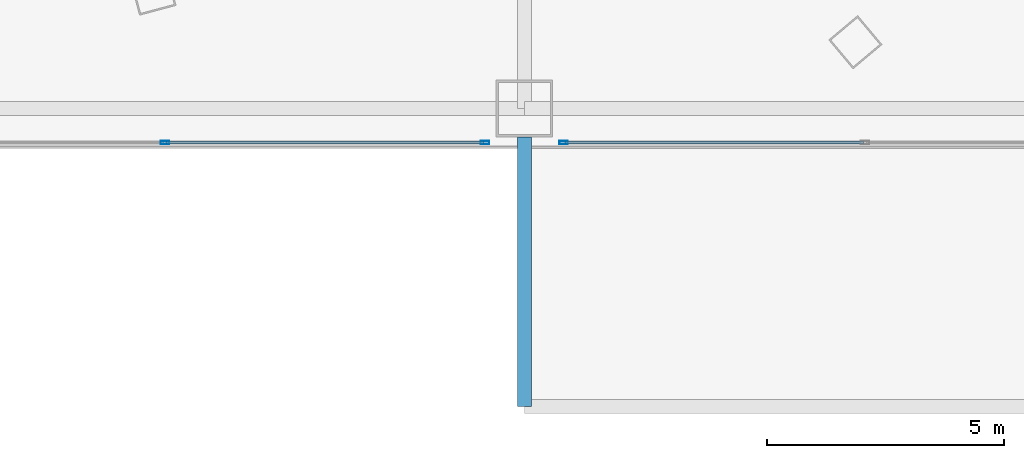
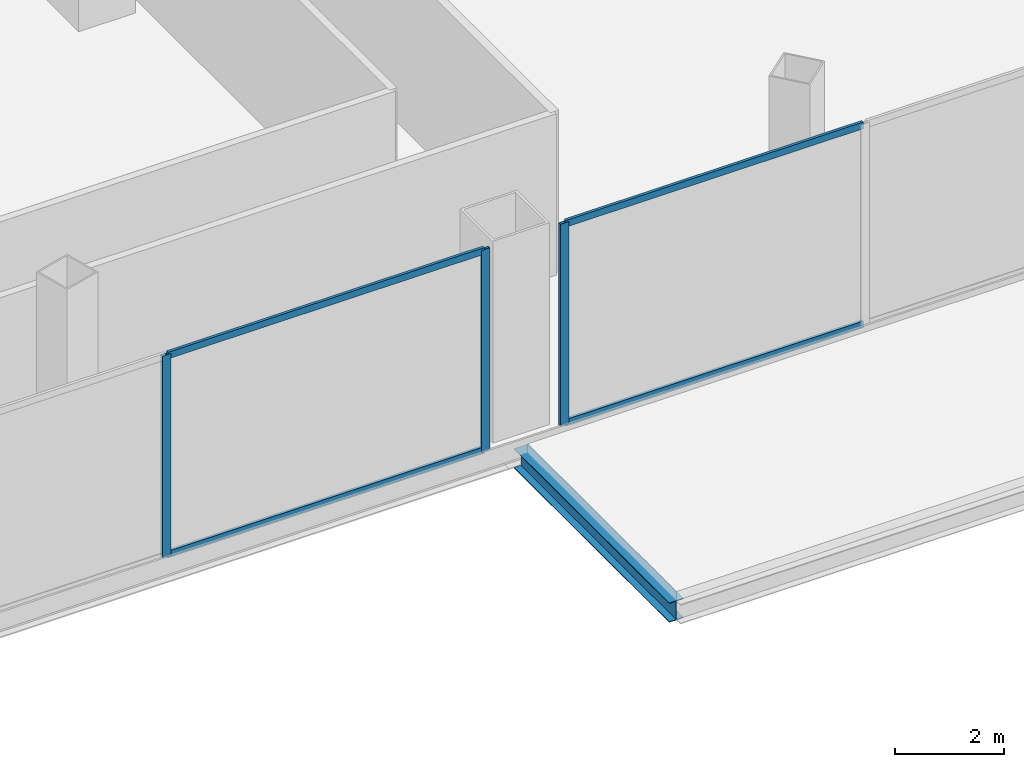
# One storey, part 11 of 42: 7 members, 1 beam, 2 elements without a shape of their own.
"""IFC4 building model written with IfcOpenShell, lengths in metres."""

from ifc_helpers import new_model, si_unit, direction, frame, origin, origin_2d, place, context, subcontext, project, spatial, hollow_rectangle, i_section, extrude, source, transform, mapped, material, layer, layer_set, material_profile, profile_set, type_object, element, aggregate, save


model = new_model("IFC4")

# Units and contexts
model_context = context("Model", 3, precision=1e-05, world=origin(), true_north=direction((0.0, 1.0)))
body_context = subcontext(model_context, "Body", "Model", "MODEL_VIEW")
ifc_project = project(units=[si_unit("LENGTHUNIT", "METRE"), si_unit("AREAUNIT", "SQUARE_METRE"), si_unit("VOLUMEUNIT", "CUBIC_METRE"), si_unit("PLANEANGLEUNIT", "RADIAN"), si_unit("MASSUNIT", "GRAM", prefix="KILO"), si_unit("THERMODYNAMICTEMPERATUREUNIT", "KELVIN"), si_unit("POWERUNIT", "WATT")], contexts=[model_context])

# Site, building, storey
site_placement = place(None, origin())
site = spatial("IfcSite", under=ifc_project, at=site_placement, CompositionType="ELEMENT")
building_placement = place(site_placement, origin())
building = spatial("IfcBuilding", under=site, at=building_placement, Name="Yunzhuo Pagoda Commons", CompositionType="ELEMENT")
storey_placement = place(building_placement, frame((0.0, 0.0, 4.800048828125)))
storey = spatial("IfcBuildingStorey", under=building, at=storey_placement, Name="L02", CompositionType="ELEMENT", Elevation=4.800048828125)

# Beam
ifc_material_1 = material(Name="Structural steel Q355B", Category="steel")
ifc_material_profile_1 = material_profile(ifc_material_1, i_section(OverallWidth=0.300048828125, OverallDepth=0.43994140625, WebThickness=0.010986328125, FlangeThickness=0.01806640625, at=origin_2d()), Name="Structural steel Q355B")
ifc_profile_set_1 = profile_set([ifc_material_profile_1], Name="Structural steel Q355B")
beam_type = type_object("IfcBeamType", Name="B-SP2 Beam HM 440x300x11x18", PredefinedType="BEAM", material=ifc_profile_set_1)
shared_shape_1 = source(origin(), body_context, "Body", "SweptSolid", [
    extrude(i_section(OverallWidth=0.300048828125, OverallDepth=0.43994140625, WebThickness=0.010986328125, FlangeThickness=0.01806640625, at=origin_2d()), origin(), (0.0, 0.0, 1.0), 5.699951171875),
])
beam_placement = place(storey_placement, frame((62.39990234375, 6.199951171875, -0.5), z_axis=(0.0, -1.0, 0.0), x_axis=(1.0, 0.0, 0.0)))
element("IfcBeam", 1, at=beam_placement, inside=storey, type_object=beam_type, Name="South canopy girder 3", PredefinedType="BEAM", context=body_context, shape_type="MappedRepresentation", body=[
    mapped(shared_shape_1, transform((0.0, 0.0, 0.0), scale=1.0)),
])

# Curtain wall, members
ifc_material_2 = material(Name="Anodized aluminium 6063-T6", Category="aluminium")
ifc_layer = layer(ifc_material_2, 0.179931640625)
ifc_layer_set = layer_set([ifc_layer], Name="Anodized aluminium 6063-T6")
curtain_wall_type = type_object("IfcCurtainWallType", Name="CW-POD Waterfront Podium Curtain Wall", PredefinedType="NOTDEFINED", material=ifc_layer_set)
curtain_wall_1_placement = place(storey_placement, origin())
curtain_wall_1 = element("IfcCurtainWall", 2, at=curtain_wall_1_placement, inside=storey, type_object=curtain_wall_type, Name="L02 curtain wall CW-L02-S3", PredefinedType="NOTDEFINED")
ifc_material_profile_2 = material_profile(ifc_material_2, hollow_rectangle(XDim=0.06494140625, YDim=0.179931640625, WallThickness=0.00390625, at=origin_2d()), Name="Anodized aluminium 6063-T6")
ifc_profile_set_2 = profile_set([ifc_material_profile_2], Name="Anodized aluminium 6063-T6")
member_type_1 = type_object("IfcMemberType", Name="CW-POD-M Mullion RHS 180x65x4", PredefinedType="MULLION", material=ifc_profile_set_2)
shared_shape_2 = source(origin(), body_context, "Body", "SweptSolid", [
    extrude(hollow_rectangle(XDim=0.06494140625, YDim=0.179931640625, WallThickness=0.00390625, at=origin_2d()), origin(), (0.0, 0.0, 1.0), 4.52001953125),
])
member_1_placement = place(storey_placement, frame((54.800048828125, 6.080078125, 0.0), z_axis=(0.0, 0.0, 1.0), x_axis=(0.0, 1.0, 0.0)))
member_1 = element("IfcMember", 3, at=member_1_placement, type_object=member_type_1, Name="CW mullion 4", PredefinedType="MULLION", context=body_context, shape_type="MappedRepresentation", body=[
    mapped(shared_shape_2, transform((0.0, 0.0, 0.0), scale=1.0)),
])
member_2_placement = place(storey_placement, frame((61.5673828125, 6.080078125, 0.0), z_axis=(0.0, 0.0, 1.0), x_axis=(0.0, 1.0, 0.0)))
member_2 = element("IfcMember", 4, at=member_2_placement, type_object=member_type_1, Name="CW mullion 5", PredefinedType="MULLION", context=body_context, shape_type="MappedRepresentation", body=[
    mapped(shared_shape_2, transform((0.0, 0.0, 0.0), scale=1.0)),
])

curtain_wall_2_placement = place(storey_placement, origin())
curtain_wall_2 = element("IfcCurtainWall", 5, at=curtain_wall_2_placement, inside=storey, type_object=curtain_wall_type, Name="L02 curtain wall CW-L02-S4", PredefinedType="NOTDEFINED")
member_3_placement = place(storey_placement, frame((63.232421875, 6.080078125, 0.0), z_axis=(0.0, 0.0, 1.0), x_axis=(0.0, 1.0, 0.0)))
member_3 = element("IfcMember", 6, at=member_3_placement, type_object=member_type_1, Name="CW mullion 1", PredefinedType="MULLION", context=body_context, shape_type="MappedRepresentation", body=[
    mapped(shared_shape_2, transform((0.0, 0.0, 0.0), scale=1.0)),
])
ifc_material_profile_3 = material_profile(ifc_material_2, hollow_rectangle(XDim=0.06005859375, YDim=0.14990234375, WallThickness=0.00390625, at=origin_2d()), Name="Anodized aluminium 6063-T6")
ifc_profile_set_3 = profile_set([ifc_material_profile_3], Name="Anodized aluminium 6063-T6")
member_type_2 = type_object("IfcMemberType", Name="CW-POD-T Transom RHS 150x60x4", PredefinedType="USERDEFINED", material=ifc_profile_set_3)
shared_shape_3 = source(origin(), body_context, "Body", "SweptSolid", [
    extrude(hollow_rectangle(XDim=0.06005859375, YDim=0.14990234375, WallThickness=0.00390625, at=origin_2d()), origin(), (0.0, 0.0, 1.0), 6.302490234375),
])
member_4_placement = place(storey_placement, frame((63.264892578125, 6.080078125, 0.030029296875), z_axis=(1.0, 0.0, 0.0), x_axis=(0.0, 1.0, 0.0)))
member_4 = element("IfcMember", 7, at=member_4_placement, type_object=member_type_2, Name="CW transom 1.1", ObjectType="TRANSOM", PredefinedType="USERDEFINED", context=body_context, shape_type="MappedRepresentation", body=[
    mapped(shared_shape_3, transform((0.0, 0.0, 0.0), scale=1.0)),
])
member_5_placement = place(storey_placement, frame((63.264892578125, 6.080078125, 4.489990234375), z_axis=(1.0, 0.0, 0.0), x_axis=(0.0, 1.0, 0.0)))
member_5 = element("IfcMember", 8, at=member_5_placement, type_object=member_type_2, Name="CW transom 1.2", ObjectType="TRANSOM", PredefinedType="USERDEFINED", context=body_context, shape_type="MappedRepresentation", body=[
    mapped(shared_shape_3, transform((0.0, 0.0, 0.0), scale=1.0)),
])
aggregate(curtain_wall_2, [member_3, member_4, member_5])

# Member
shared_shape_4 = source(origin(), body_context, "Body", "SweptSolid", [
    extrude(hollow_rectangle(XDim=0.06005859375, YDim=0.14990234375, WallThickness=0.00390625, at=origin_2d()), origin(), (0.0, 0.0, 1.0), 6.7021484375),
])
member_6_placement = place(storey_placement, frame((54.832763671875, 6.080078125, 0.030029296875), z_axis=(1.0, 0.0, 0.0), x_axis=(0.0, 1.0, 0.0)))
member_6 = element("IfcMember", 9, at=member_6_placement, type_object=member_type_2, Name="CW transom 4.1", ObjectType="TRANSOM", PredefinedType="USERDEFINED", context=body_context, shape_type="MappedRepresentation", body=[
    mapped(shared_shape_4, transform((0.0, 0.0, 0.0), scale=1.0)),
])

member_7_placement = place(storey_placement, frame((54.832763671875, 6.080078125, 4.489990234375), z_axis=(1.0, 0.0, 0.0), x_axis=(0.0, 1.0, 0.0)))
member_7 = element("IfcMember", 10, at=member_7_placement, type_object=member_type_2, Name="CW transom 4.2", ObjectType="TRANSOM", PredefinedType="USERDEFINED", context=body_context, shape_type="MappedRepresentation", body=[
    mapped(shared_shape_4, transform((0.0, 0.0, 0.0), scale=1.0)),
])

aggregate(curtain_wall_1, [member_1, member_2, member_6, member_7])

save(model, "model.ifc")
